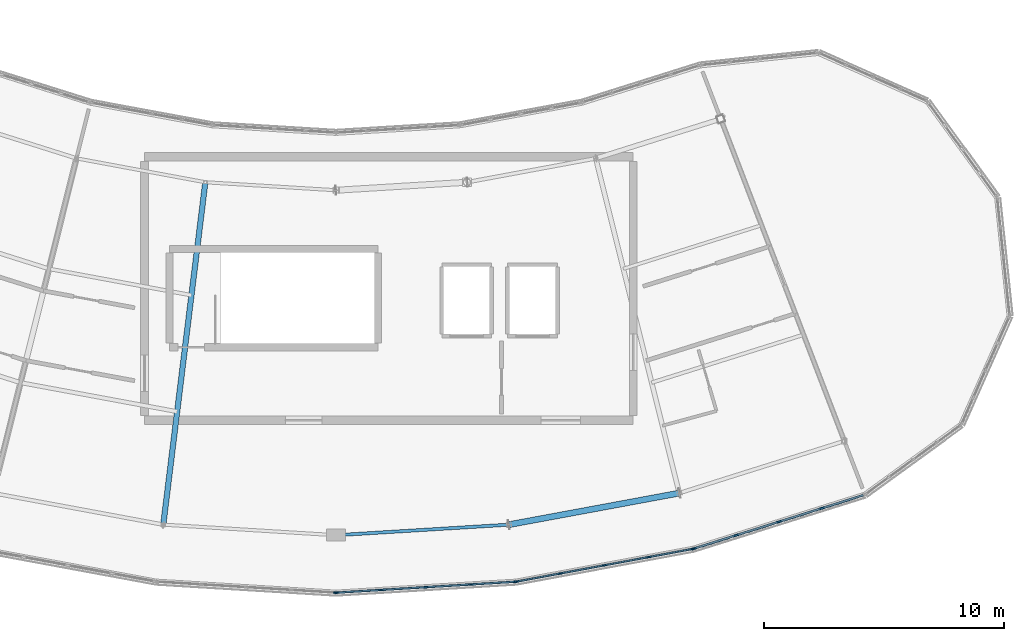
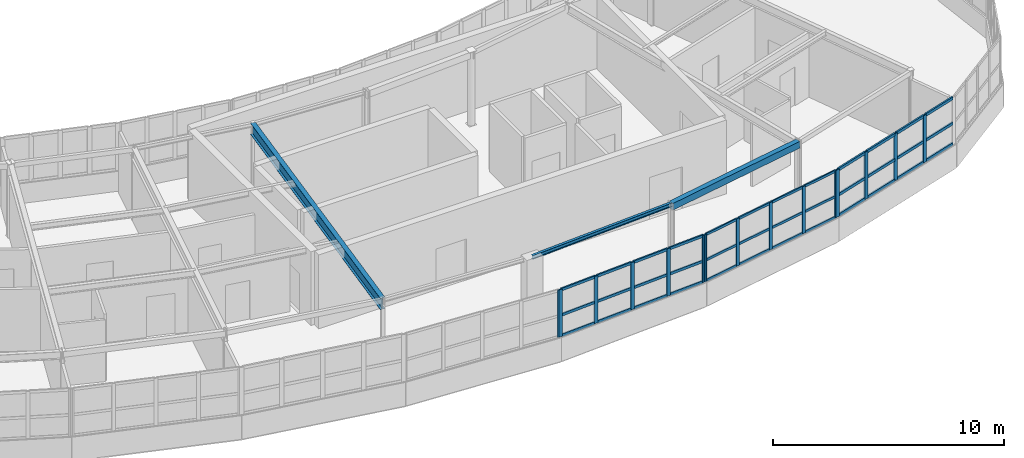
# One storey, part 19 of 60: 51 members, 3 beams, 4 elements without a shape of their own.
"""IFC4 building model written with IfcOpenShell, lengths in metres."""

from ifc_helpers import new_model, si_unit, direction, frame, origin, origin_2d, place, context, subcontext, project, spatial, rectangle, hollow_rectangle, i_section, extrude, material, layer, layer_set, material_profile, profile_set, type_object, element, aggregate, save


model = new_model("IFC4")

# Units and contexts
model_context = context("Model", 3, precision=1e-05, world=origin(), true_north=direction((0.0, 1.0)))
body_context = subcontext(model_context, "Body", "Model", "MODEL_VIEW")
ifc_project = project(units=[si_unit("LENGTHUNIT", "METRE"), si_unit("AREAUNIT", "SQUARE_METRE"), si_unit("VOLUMEUNIT", "CUBIC_METRE"), si_unit("PLANEANGLEUNIT", "RADIAN"), si_unit("MASSUNIT", "GRAM", prefix="KILO")], contexts=[model_context])

# Site, building, storey
site_placement = place(None, origin())
site = spatial("IfcSite", under=ifc_project, at=site_placement, CompositionType="ELEMENT")
building_placement = place(site_placement, origin())
building = spatial("IfcBuilding", under=site, at=building_placement, Name="Tarnwether General Hospital", CompositionType="ELEMENT")
storey_placement = place(building_placement, frame((0.0, 0.0, 26.10009765625)))
storey = spatial("IfcBuildingStorey", under=building, at=storey_placement, Name="L06", CompositionType="ELEMENT", Elevation=26.10009765625)

# Beams
ifc_material_1 = material(Name="Steel Grade 350 (350 MPa)", Category="steel")
ifc_material_profile_1 = material_profile(ifc_material_1, i_section(OverallWidth=0.22802734375, OverallDepth=0.60205078125, WebThickness=0.010498046875, FlangeThickness=0.014892578125, at=origin_2d()), Name="610UB101")
ifc_profile_set_1 = profile_set([ifc_material_profile_1], Name="Steel Grade 350 (350 MPa)")
beam_type_1 = type_object("IfcBeamType", Name="BM-G05", PredefinedType="BEAM", material=ifc_profile_set_1)
beam_1_placement = place(storey_placement, frame((84.784912109375, 4.240966796875, 3.598876953125), z_axis=(0.121881045946, 0.99254471468, 0.0), x_axis=(-0.99254471468, 0.121881045946, 0.0)))
element("IfcBeam", 1, at=beam_1_placement, inside=storey, type_object=beam_type_1, Name="Curved Ward SE Radial Girder BMG-L06-8478_424-8654_1853-2195", PredefinedType="BEAM", context=body_context, shape_type="SweptSolid", body=[
    extrude(i_section(OverallWidth=0.22802734375, OverallDepth=0.60205078125, WebThickness=0.010498046875, FlangeThickness=0.014892578125, at=origin_2d()), origin(), (0.0, 0.0, 1.0), 14.400390625),
])
ifc_material_2 = material(Name="Steel Grade 350 (350 MPa)", Category="steel")
ifc_material_profile_2 = material_profile(ifc_material_2, i_section(OverallWidth=0.133056640625, OverallDepth=0.201904296875, WebThickness=0.0048828125, FlangeThickness=0.007080078125, at=origin_2d()), Name="200UB22.3")
ifc_profile_set_2 = profile_set([ifc_material_profile_2], Name="Steel Grade 350 (350 MPa)")
beam_type_2 = type_object("IfcBeamType", Name="BM-SP6", PredefinedType="SPANDREL", material=ifc_profile_set_2)
beam_2_placement = place(storey_placement, frame((92.0, 3.800048828125, 3.798828125), z_axis=(0.998137964221, 0.060996757127, 0.0), x_axis=(-0.060996757127, 0.998137964221, 0.0)))
element("IfcBeam", 2, at=beam_2_placement, inside=storey, type_object=beam_type_2, Name="Curved Ward SE Outer Spandrel BMG-L06-9200_380-9922_424-2212", PredefinedType="SPANDREL", context=body_context, shape_type="SweptSolid", body=[
    extrude(i_section(OverallWidth=0.133056640625, OverallDepth=0.201904296875, WebThickness=0.0048828125, FlangeThickness=0.007080078125, at=origin_2d()), origin(), (0.0, 0.0, 1.0), 7.228515625),
])
ifc_material_3 = material(Name="Steel Grade C350L0 (350 MPa)", Category="steel")
ifc_material_profile_3 = material_profile(ifc_material_3, hollow_rectangle(XDim=0.25, YDim=0.35009765625, WallThickness=0.012451171875, at=origin_2d()), Name="RHS350x250x12.5")
ifc_profile_set_3 = profile_set([ifc_material_profile_3], Name="Steel Grade C350L0 (350 MPa)")
beam_type_3 = type_object("IfcBeamType", Name="BM-SP7", PredefinedType="SPANDREL", material=ifc_profile_set_3)
beam_3_placement = place(storey_placement, frame((99.215087890625, 4.240966796875, 3.724853515625), z_axis=(0.98325623662, 0.182228354399, 0.0), x_axis=(-0.182228354399, 0.98325623662, 0.0)))
element("IfcBeam", 3, at=beam_3_placement, inside=storey, type_object=beam_type_3, Name="Curved Ward SE Outer Spandrel BMG-L06-9922_424-10632_556-2214", PredefinedType="SPANDREL", context=body_context, shape_type="SweptSolid", body=[
    extrude(hollow_rectangle(XDim=0.25, YDim=0.35009765625, WallThickness=0.012451171875, at=origin_2d()), origin(), (0.0, 0.0, 1.0), 7.22802734375),
])

# Curtain wall, member
ifc_material_4 = material(Name="Anodised aluminium", Category="aluminium")
ifc_layer = layer(ifc_material_4, 0.179931640625)
ifc_layer_set = layer_set([ifc_layer], Name="Anodised aluminium")
curtain_wall_type = type_object("IfcCurtainWallType", Name="CW-11", PredefinedType="NOTDEFINED", material=ifc_layer_set)
curtain_wall_1_placement = place(storey_placement, origin())
curtain_wall_1 = element("IfcCurtainWall", 4, at=curtain_wall_1_placement, inside=storey, type_object=curtain_wall_type, Name="Curtain Wall CWG-L06-920_14-0249", PredefinedType="NOTDEFINED")
ifc_material_5 = material(Name="Anodised aluminium", Category="aluminium")
ifc_material_profile_4 = material_profile(ifc_material_5, rectangle(XDim=0.06005859375, YDim=0.159912109375, at=origin_2d()), Name="ALU-MUL-60x160")
ifc_profile_set_4 = profile_set([ifc_material_profile_4], Name="Anodised aluminium")
member_type_1 = type_object("IfcMemberType", Name="CW-ML1", PredefinedType="MULLION", material=ifc_profile_set_4)
member_1_placement = place(storey_placement, frame((91.969970703125, 1.40185546875, 1.0498046875), z_axis=(0.0, 0.0, 1.0), x_axis=(-0.061028962567, -0.998135995608, 0.0)))
member_1 = element("IfcMember", 5, at=member_1_placement, type_object=member_type_1, Name="CW-11 mullion 1", PredefinedType="MULLION", context=body_context, shape_type="SweptSolid", body=[
    extrude(rectangle(XDim=0.06005859375, YDim=0.159912109375, at=origin_2d()), origin(), (0.0, 0.0, 1.0), 2.4951171875),
])
aggregate(curtain_wall_1, [member_1])

# Curtain wall, members
curtain_wall_2_placement = place(storey_placement, origin())
curtain_wall_2 = element("IfcCurtainWall", 6, at=curtain_wall_2_placement, inside=storey, type_object=curtain_wall_type, Name="Curtain Wall CWG-L06-995_19-0250", PredefinedType="NOTDEFINED")
ifc_material_6 = material(Name="Anodised aluminium", Category="aluminium")
ifc_material_profile_5 = material_profile(ifc_material_6, rectangle(XDim=0.070068359375, YDim=0.179931640625, at=origin_2d()), Name="ALU-MUL-70x180")
ifc_profile_set_5 = profile_set([ifc_material_profile_5], Name="Anodised aluminium")
member_type_2 = type_object("IfcMemberType", Name="CW-ML2", PredefinedType="MULLION", material=ifc_profile_set_5)
member_2_placement = place(storey_placement, frame((99.47216796875, 1.85693359375, 1.0498046875), z_axis=(0.0, 0.0, 1.0), x_axis=(0.061028962567, -0.998135995608, 0.0)))
member_2 = element("IfcMember", 7, at=member_2_placement, type_object=member_type_2, Name="CW-11 mullion 1", PredefinedType="MULLION", context=body_context, shape_type="SweptSolid", body=[
    extrude(rectangle(XDim=0.070068359375, YDim=0.179931640625, at=origin_2d()), origin(), (0.0, 0.0, 1.0), 2.4951171875),
])
member_3_placement = place(storey_placement, frame((97.63037109375, 1.744140625, 1.0498046875), z_axis=(0.0, 0.0, 1.0), x_axis=(0.061028962567, -0.998135995608, 0.0)))
member_3 = element("IfcMember", 8, at=member_3_placement, type_object=member_type_2, Name="CW-11 mullion 2", PredefinedType="MULLION", context=body_context, shape_type="SweptSolid", body=[
    extrude(rectangle(XDim=0.070068359375, YDim=0.179931640625, at=origin_2d()), origin(), (0.0, 0.0, 1.0), 2.4951171875),
])
member_4_placement = place(storey_placement, frame((95.75341796875, 1.62939453125, 1.0498046875), z_axis=(0.0, 0.0, 1.0), x_axis=(0.061028962567, -0.998135995608, 0.0)))
member_4 = element("IfcMember", 9, at=member_4_placement, type_object=member_type_2, Name="CW-11 mullion 3", PredefinedType="MULLION", context=body_context, shape_type="SweptSolid", body=[
    extrude(rectangle(XDim=0.070068359375, YDim=0.179931640625, at=origin_2d()), origin(), (0.0, 0.0, 1.0), 2.4951171875),
])
member_5_placement = place(storey_placement, frame((93.876708984375, 1.5146484375, 1.0498046875), z_axis=(0.0, 0.0, 1.0), x_axis=(0.061028962567, -0.998135995608, 0.0)))
member_5 = element("IfcMember", 10, at=member_5_placement, type_object=member_type_2, Name="CW-11 mullion 4", PredefinedType="MULLION", context=body_context, shape_type="SweptSolid", body=[
    extrude(rectangle(XDim=0.070068359375, YDim=0.179931640625, at=origin_2d()), origin(), (0.0, 0.0, 1.0), 2.4951171875),
])
member_6_placement = place(storey_placement, frame((92.034912109375, 1.402099609375, 1.0498046875), z_axis=(0.0, 0.0, 1.0), x_axis=(0.061028962567, -0.998135995608, 0.0)))
member_6 = element("IfcMember", 11, at=member_6_placement, type_object=member_type_2, Name="CW-11 mullion 5", PredefinedType="MULLION", context=body_context, shape_type="SweptSolid", body=[
    extrude(rectangle(XDim=0.070068359375, YDim=0.179931640625, at=origin_2d()), origin(), (0.0, 0.0, 1.0), 2.4951171875),
])

curtain_wall_3_placement = place(storey_placement, origin())
curtain_wall_3 = element("IfcCurtainWall", 12, at=curtain_wall_3_placement, inside=storey, type_object=curtain_wall_type, Name="Curtain Wall CWG-L06-1069_32-0251", PredefinedType="NOTDEFINED")
ifc_material_7 = material(Name="Anodised aluminium", Category="aluminium")
ifc_material_profile_6 = material_profile(ifc_material_7, rectangle(XDim=0.06494140625, YDim=0.169921875, at=origin_2d()), Name="ALU-MUL-65x170")
ifc_profile_set_6 = profile_set([ifc_material_profile_6], Name="Anodised aluminium")
member_type_3 = type_object("IfcMemberType", Name="CW-ML3", PredefinedType="MULLION", material=ifc_profile_set_6)
member_7_placement = place(storey_placement, frame((106.8701171875, 3.22412109375, 1.0498046875), z_axis=(0.0, 0.0, 1.0), x_axis=(0.182289226614, -0.983244953132, 0.0)))
member_7 = element("IfcMember", 13, at=member_7_placement, type_object=member_type_3, Name="CW-11 mullion 1", PredefinedType="MULLION", context=body_context, shape_type="SweptSolid", body=[
    extrude(rectangle(XDim=0.06494140625, YDim=0.169921875, at=origin_2d()), origin(), (0.0, 0.0, 1.0), 2.4951171875),
])
member_8_placement = place(storey_placement, frame((105.05322265625, 2.88720703125, 1.0498046875), z_axis=(0.0, 0.0, 1.0), x_axis=(0.182289226614, -0.983244953132, 0.0)))
member_8 = element("IfcMember", 14, at=member_8_placement, type_object=member_type_3, Name="CW-11 mullion 2", PredefinedType="MULLION", context=body_context, shape_type="SweptSolid", body=[
    extrude(rectangle(XDim=0.06494140625, YDim=0.169921875, at=origin_2d()), origin(), (0.0, 0.0, 1.0), 2.4951171875),
])
member_9_placement = place(storey_placement, frame((103.20458984375, 2.54443359375, 1.0498046875), z_axis=(0.0, 0.0, 1.0), x_axis=(0.182289226614, -0.983244953132, 0.0)))
member_9 = element("IfcMember", 15, at=member_9_placement, type_object=member_type_3, Name="CW-11 mullion 3", PredefinedType="MULLION", context=body_context, shape_type="SweptSolid", body=[
    extrude(rectangle(XDim=0.06494140625, YDim=0.169921875, at=origin_2d()), origin(), (0.0, 0.0, 1.0), 2.4951171875),
])
member_10_placement = place(storey_placement, frame((101.355712890625, 2.20166015625, 1.0498046875), z_axis=(0.0, 0.0, 1.0), x_axis=(0.182289226614, -0.983244953132, 0.0)))
member_10 = element("IfcMember", 16, at=member_10_placement, type_object=member_type_3, Name="CW-11 mullion 4", PredefinedType="MULLION", context=body_context, shape_type="SweptSolid", body=[
    extrude(rectangle(XDim=0.06494140625, YDim=0.169921875, at=origin_2d()), origin(), (0.0, 0.0, 1.0), 2.4951171875),
])
member_11_placement = place(storey_placement, frame((99.5390625, 1.864990234375, 1.0498046875), z_axis=(0.0, 0.0, 1.0), x_axis=(0.182289226614, -0.983244953132, 0.0)))
member_11 = element("IfcMember", 17, at=member_11_placement, type_object=member_type_3, Name="CW-11 mullion 5", PredefinedType="MULLION", context=body_context, shape_type="SweptSolid", body=[
    extrude(rectangle(XDim=0.06494140625, YDim=0.169921875, at=origin_2d()), origin(), (0.0, 0.0, 1.0), 2.4951171875),
])

curtain_wall_4_placement = place(storey_placement, origin())
curtain_wall_4 = element("IfcCurtainWall", 18, at=curtain_wall_4_placement, inside=storey, type_object=curtain_wall_type, Name="Curtain Wall CWG-L06-1141_55-0252", PredefinedType="NOTDEFINED")
ifc_material_8 = material(Name="Anodised aluminium", Category="aluminium")
ifc_material_profile_7 = material_profile(ifc_material_8, rectangle(XDim=0.080078125, YDim=0.199951171875, at=origin_2d()), Name="ALU-MUL-80x200")
ifc_profile_set_7 = profile_set([ifc_material_profile_7], Name="Anodised aluminium")
member_type_4 = type_object("IfcMemberType", Name="CW-ML4", PredefinedType="MULLION", material=ifc_profile_set_7)
member_12_placement = place(storey_placement, frame((112.28173828125, 4.92578125, 1.0498046875), z_axis=(0.0, 0.0, 1.0), x_axis=(0.300628613299, -0.953741284032, 0.0)))
member_12 = element("IfcMember", 19, at=member_12_placement, type_object=member_type_4, Name="CW-11 mullion 2", PredefinedType="MULLION", context=body_context, shape_type="SweptSolid", body=[
    extrude(rectangle(XDim=0.080078125, YDim=0.199951171875, at=origin_2d()), origin(), (0.0, 0.0, 1.0), 2.4951171875),
])
member_13_placement = place(storey_placement, frame((110.488525390625, 4.360595703125, 1.0498046875), z_axis=(0.0, 0.0, 1.0), x_axis=(0.300628613299, -0.953741284032, 0.0)))
member_13 = element("IfcMember", 20, at=member_13_placement, type_object=member_type_4, Name="CW-11 mullion 3", PredefinedType="MULLION", context=body_context, shape_type="SweptSolid", body=[
    extrude(rectangle(XDim=0.080078125, YDim=0.199951171875, at=origin_2d()), origin(), (0.0, 0.0, 1.0), 2.4951171875),
])
member_14_placement = place(storey_placement, frame((108.6953125, 3.795166015625, 1.0498046875), z_axis=(0.0, 0.0, 1.0), x_axis=(0.300628613299, -0.953741284032, 0.0)))
member_14 = element("IfcMember", 21, at=member_14_placement, type_object=member_type_4, Name="CW-11 mullion 4", PredefinedType="MULLION", context=body_context, shape_type="SweptSolid", body=[
    extrude(rectangle(XDim=0.080078125, YDim=0.199951171875, at=origin_2d()), origin(), (0.0, 0.0, 1.0), 2.4951171875),
])
member_15_placement = place(storey_placement, frame((106.940185546875, 3.241943359375, 1.0498046875), z_axis=(0.0, 0.0, 1.0), x_axis=(0.300628613299, -0.953741284032, 0.0)))
member_15 = element("IfcMember", 22, at=member_15_placement, type_object=member_type_4, Name="CW-11 mullion 5", PredefinedType="MULLION", context=body_context, shape_type="SweptSolid", body=[
    extrude(rectangle(XDim=0.080078125, YDim=0.199951171875, at=origin_2d()), origin(), (0.0, 0.0, 1.0), 2.4951171875),
])

# Member
ifc_material_9 = material(Name="Anodised aluminium", Category="aluminium")
ifc_material_profile_8 = material_profile(ifc_material_9, rectangle(XDim=0.070068359375, YDim=0.139892578125, at=origin_2d()), Name="ALU-TRN-70x140")
ifc_profile_set_8 = profile_set([ifc_material_profile_8], Name="Anodised aluminium")
member_type_5 = type_object("IfcMemberType", Name="CW-TR2", PredefinedType="USERDEFINED", material=ifc_profile_set_8)
member_16_placement = place(storey_placement, frame((99.43701171875, 1.854736328125, 1.0849609375), z_axis=(-0.998133600873, -0.061068116134, 0.0), x_axis=(0.061068116134, -0.998133600873, 0.0)))
member_16 = element("IfcMember", 23, at=member_16_placement, type_object=member_type_5, Name="CW-11 transom 1.1", ObjectType="TRANSOM", PredefinedType="USERDEFINED", context=body_context, shape_type="SweptSolid", body=[
    extrude(rectangle(XDim=0.070068359375, YDim=0.139892578125, at=origin_2d()), origin(), (0.0, 0.0, 1.0), 1.775146484375),
])

member_17_placement = place(storey_placement, frame((99.43701171875, 1.854736328125, 2.172607421875), z_axis=(-0.998133600873, -0.061068116134, 0.0), x_axis=(0.061068116134, -0.998133600873, 0.0)))
member_17 = element("IfcMember", 24, at=member_17_placement, type_object=member_type_5, Name="CW-11 transom 1.2", ObjectType="TRANSOM", PredefinedType="USERDEFINED", context=body_context, shape_type="SweptSolid", body=[
    extrude(rectangle(XDim=0.070068359375, YDim=0.139892578125, at=origin_2d()), origin(), (0.0, 0.0, 1.0), 1.775146484375),
])

member_18_placement = place(storey_placement, frame((99.43701171875, 1.854736328125, 3.510009765625), z_axis=(-0.998133600873, -0.061068116134, 0.0), x_axis=(0.061068116134, -0.998133600873, 0.0)))
member_18 = element("IfcMember", 25, at=member_18_placement, type_object=member_type_5, Name="CW-11 transom 1.3", ObjectType="TRANSOM", PredefinedType="USERDEFINED", context=body_context, shape_type="SweptSolid", body=[
    extrude(rectangle(XDim=0.070068359375, YDim=0.139892578125, at=origin_2d()), origin(), (0.0, 0.0, 1.0), 1.775146484375),
])

member_19_placement = place(storey_placement, frame((97.59521484375, 1.7421875, 1.0849609375), z_axis=(-0.998132040716, -0.061093610923, 0.0), x_axis=(0.061093610923, -0.998132040716, 0.0)))
member_19 = element("IfcMember", 26, at=member_19_placement, type_object=member_type_5, Name="CW-11 transom 2.1", ObjectType="TRANSOM", PredefinedType="USERDEFINED", context=body_context, shape_type="SweptSolid", body=[
    extrude(rectangle(XDim=0.070068359375, YDim=0.139892578125, at=origin_2d()), origin(), (0.0, 0.0, 1.0), 1.810302734375),
])

member_20_placement = place(storey_placement, frame((97.59521484375, 1.7421875, 2.172607421875), z_axis=(-0.998132040716, -0.061093610923, 0.0), x_axis=(0.061093610923, -0.998132040716, 0.0)))
member_20 = element("IfcMember", 27, at=member_20_placement, type_object=member_type_5, Name="CW-11 transom 2.2", ObjectType="TRANSOM", PredefinedType="USERDEFINED", context=body_context, shape_type="SweptSolid", body=[
    extrude(rectangle(XDim=0.070068359375, YDim=0.139892578125, at=origin_2d()), origin(), (0.0, 0.0, 1.0), 1.810302734375),
])

member_21_placement = place(storey_placement, frame((97.59521484375, 1.7421875, 3.510009765625), z_axis=(-0.998132040716, -0.061093610923, 0.0), x_axis=(0.061093610923, -0.998132040716, 0.0)))
member_21 = element("IfcMember", 28, at=member_21_placement, type_object=member_type_5, Name="CW-11 transom 2.3", ObjectType="TRANSOM", PredefinedType="USERDEFINED", context=body_context, shape_type="SweptSolid", body=[
    extrude(rectangle(XDim=0.070068359375, YDim=0.139892578125, at=origin_2d()), origin(), (0.0, 0.0, 1.0), 1.810302734375),
])

member_22_placement = place(storey_placement, frame((95.718505859375, 1.62744140625, 1.0849609375), z_axis=(-0.998132040716, -0.061093610923, 0.0), x_axis=(0.061093610923, -0.998132040716, 0.0)))
member_22 = element("IfcMember", 29, at=member_22_placement, type_object=member_type_5, Name="CW-11 transom 3.1", ObjectType="TRANSOM", PredefinedType="USERDEFINED", context=body_context, shape_type="SweptSolid", body=[
    extrude(rectangle(XDim=0.070068359375, YDim=0.139892578125, at=origin_2d()), origin(), (0.0, 0.0, 1.0), 1.810302734375),
])

member_23_placement = place(storey_placement, frame((95.718505859375, 1.62744140625, 2.172607421875), z_axis=(-0.998132040716, -0.061093610923, 0.0), x_axis=(0.061093610923, -0.998132040716, 0.0)))
member_23 = element("IfcMember", 30, at=member_23_placement, type_object=member_type_5, Name="CW-11 transom 3.2", ObjectType="TRANSOM", PredefinedType="USERDEFINED", context=body_context, shape_type="SweptSolid", body=[
    extrude(rectangle(XDim=0.070068359375, YDim=0.139892578125, at=origin_2d()), origin(), (0.0, 0.0, 1.0), 1.810302734375),
])

member_24_placement = place(storey_placement, frame((95.718505859375, 1.62744140625, 3.510009765625), z_axis=(-0.998132040716, -0.061093610923, 0.0), x_axis=(0.061093610923, -0.998132040716, 0.0)))
member_24 = element("IfcMember", 31, at=member_24_placement, type_object=member_type_5, Name="CW-11 transom 3.3", ObjectType="TRANSOM", PredefinedType="USERDEFINED", context=body_context, shape_type="SweptSolid", body=[
    extrude(rectangle(XDim=0.070068359375, YDim=0.139892578125, at=origin_2d()), origin(), (0.0, 0.0, 1.0), 1.810302734375),
])

member_25_placement = place(storey_placement, frame((93.841796875, 1.5126953125, 1.0849609375), z_axis=(-0.9981341137, -0.061059733602, 0.0), x_axis=(0.061059733602, -0.9981341137, 0.0)))
member_25 = element("IfcMember", 32, at=member_25_placement, type_object=member_type_5, Name="CW-11 transom 4.1", ObjectType="TRANSOM", PredefinedType="USERDEFINED", context=body_context, shape_type="SweptSolid", body=[
    extrude(rectangle(XDim=0.070068359375, YDim=0.139892578125, at=origin_2d()), origin(), (0.0, 0.0, 1.0), 1.775390625),
])

member_26_placement = place(storey_placement, frame((93.841796875, 1.5126953125, 2.172607421875), z_axis=(-0.9981341137, -0.061059733602, 0.0), x_axis=(0.061059733602, -0.9981341137, 0.0)))
member_26 = element("IfcMember", 33, at=member_26_placement, type_object=member_type_5, Name="CW-11 transom 4.2", ObjectType="TRANSOM", PredefinedType="USERDEFINED", context=body_context, shape_type="SweptSolid", body=[
    extrude(rectangle(XDim=0.070068359375, YDim=0.139892578125, at=origin_2d()), origin(), (0.0, 0.0, 1.0), 1.775390625),
])

member_27_placement = place(storey_placement, frame((93.841796875, 1.5126953125, 3.510009765625), z_axis=(-0.9981341137, -0.061059733602, 0.0), x_axis=(0.061059733602, -0.9981341137, 0.0)))
member_27 = element("IfcMember", 34, at=member_27_placement, type_object=member_type_5, Name="CW-11 transom 4.3", ObjectType="TRANSOM", PredefinedType="USERDEFINED", context=body_context, shape_type="SweptSolid", body=[
    extrude(rectangle(XDim=0.070068359375, YDim=0.139892578125, at=origin_2d()), origin(), (0.0, 0.0, 1.0), 1.775390625),
])

aggregate(curtain_wall_2, [member_2, member_3, member_4, member_5, member_6, member_16, member_17, member_18, member_19, member_20, member_21, member_22, member_23, member_24, member_25, member_26, member_27])

ifc_material_10 = material(Name="Anodised aluminium", Category="aluminium")
ifc_material_profile_9 = material_profile(ifc_material_10, rectangle(XDim=0.06494140625, YDim=0.1298828125, at=origin_2d()), Name="ALU-TRN-65x130")
ifc_profile_set_9 = profile_set([ifc_material_profile_9], Name="Anodised aluminium")
member_type_6 = type_object("IfcMemberType", Name="CW-TR3", PredefinedType="USERDEFINED", material=ifc_profile_set_9)
member_28_placement = place(storey_placement, frame((106.838134765625, 3.21826171875, 1.08251953125), z_axis=(-0.983223837446, -0.182403085164, 0.0), x_axis=(0.182403085164, -0.983223837446, 0.0)))
member_28 = element("IfcMember", 35, at=member_28_placement, type_object=member_type_6, Name="CW-11 transom 1.1", ObjectType="TRANSOM", PredefinedType="USERDEFINED", context=body_context, shape_type="SweptSolid", body=[
    extrude(rectangle(XDim=0.06494140625, YDim=0.1298828125, at=origin_2d()), origin(), (0.0, 0.0, 1.0), 1.782958984375),
])

member_29_placement = place(storey_placement, frame((106.838134765625, 3.21826171875, 2.172607421875), z_axis=(-0.983223837446, -0.182403085164, 0.0), x_axis=(0.182403085164, -0.983223837446, 0.0)))
member_29 = element("IfcMember", 36, at=member_29_placement, type_object=member_type_6, Name="CW-11 transom 1.2", ObjectType="TRANSOM", PredefinedType="USERDEFINED", context=body_context, shape_type="SweptSolid", body=[
    extrude(rectangle(XDim=0.06494140625, YDim=0.1298828125, at=origin_2d()), origin(), (0.0, 0.0, 1.0), 1.782958984375),
])

member_30_placement = place(storey_placement, frame((106.838134765625, 3.21826171875, 3.512451171875), z_axis=(-0.983223837446, -0.182403085164, 0.0), x_axis=(0.182403085164, -0.983223837446, 0.0)))
member_30 = element("IfcMember", 37, at=member_30_placement, type_object=member_type_6, Name="CW-11 transom 1.3", ObjectType="TRANSOM", PredefinedType="USERDEFINED", context=body_context, shape_type="SweptSolid", body=[
    extrude(rectangle(XDim=0.06494140625, YDim=0.1298828125, at=origin_2d()), origin(), (0.0, 0.0, 1.0), 1.782958984375),
])

member_31_placement = place(storey_placement, frame((105.021240234375, 2.88134765625, 1.08251953125), z_axis=(-0.983250771919, -0.182257838023, 0.0), x_axis=(0.182257838023, -0.983250771919, 0.0)))
member_31 = element("IfcMember", 38, at=member_31_placement, type_object=member_type_6, Name="CW-11 transom 2.1", ObjectType="TRANSOM", PredefinedType="USERDEFINED", context=body_context, shape_type="SweptSolid", body=[
    extrude(rectangle(XDim=0.06494140625, YDim=0.1298828125, at=origin_2d()), origin(), (0.0, 0.0, 1.0), 1.815185546875),
])

member_32_placement = place(storey_placement, frame((105.021240234375, 2.88134765625, 2.172607421875), z_axis=(-0.983250771919, -0.182257838023, 0.0), x_axis=(0.182257838023, -0.983250771919, 0.0)))
member_32 = element("IfcMember", 39, at=member_32_placement, type_object=member_type_6, Name="CW-11 transom 2.2", ObjectType="TRANSOM", PredefinedType="USERDEFINED", context=body_context, shape_type="SweptSolid", body=[
    extrude(rectangle(XDim=0.06494140625, YDim=0.1298828125, at=origin_2d()), origin(), (0.0, 0.0, 1.0), 1.815185546875),
])

member_33_placement = place(storey_placement, frame((105.021240234375, 2.88134765625, 3.512451171875), z_axis=(-0.983250771919, -0.182257838023, 0.0), x_axis=(0.182257838023, -0.983250771919, 0.0)))
member_33 = element("IfcMember", 40, at=member_33_placement, type_object=member_type_6, Name="CW-11 transom 2.3", ObjectType="TRANSOM", PredefinedType="USERDEFINED", context=body_context, shape_type="SweptSolid", body=[
    extrude(rectangle(XDim=0.06494140625, YDim=0.1298828125, at=origin_2d()), origin(), (0.0, 0.0, 1.0), 1.815185546875),
])

member_34_placement = place(storey_placement, frame((103.172607421875, 2.53857421875, 1.08251953125), z_axis=(-0.983255239096, -0.182233736695, 0.0), x_axis=(0.182233736695, -0.983255239096, 0.0)))
member_34 = element("IfcMember", 41, at=member_34_placement, type_object=member_type_6, Name="CW-11 transom 3.1", ObjectType="TRANSOM", PredefinedType="USERDEFINED", context=body_context, shape_type="SweptSolid", body=[
    extrude(rectangle(XDim=0.06494140625, YDim=0.1298828125, at=origin_2d()), origin(), (0.0, 0.0, 1.0), 1.8154296875),
])

member_35_placement = place(storey_placement, frame((103.172607421875, 2.53857421875, 2.172607421875), z_axis=(-0.983255239096, -0.182233736695, 0.0), x_axis=(0.182233736695, -0.983255239096, 0.0)))
member_35 = element("IfcMember", 42, at=member_35_placement, type_object=member_type_6, Name="CW-11 transom 3.2", ObjectType="TRANSOM", PredefinedType="USERDEFINED", context=body_context, shape_type="SweptSolid", body=[
    extrude(rectangle(XDim=0.06494140625, YDim=0.1298828125, at=origin_2d()), origin(), (0.0, 0.0, 1.0), 1.8154296875),
])

member_36_placement = place(storey_placement, frame((103.172607421875, 2.53857421875, 3.512451171875), z_axis=(-0.983255239096, -0.182233736695, 0.0), x_axis=(0.182233736695, -0.983255239096, 0.0)))
member_36 = element("IfcMember", 43, at=member_36_placement, type_object=member_type_6, Name="CW-11 transom 3.3", ObjectType="TRANSOM", PredefinedType="USERDEFINED", context=body_context, shape_type="SweptSolid", body=[
    extrude(rectangle(XDim=0.06494140625, YDim=0.1298828125, at=origin_2d()), origin(), (0.0, 0.0, 1.0), 1.8154296875),
])

member_37_placement = place(storey_placement, frame((101.32373046875, 2.19580078125, 1.08251953125), z_axis=(-0.983248388252, -0.182270697042, 0.0), x_axis=(0.182270697042, -0.983248388252, 0.0)))
member_37 = element("IfcMember", 44, at=member_37_placement, type_object=member_type_6, Name="CW-11 transom 4.1", ObjectType="TRANSOM", PredefinedType="USERDEFINED", context=body_context, shape_type="SweptSolid", body=[
    extrude(rectangle(XDim=0.06494140625, YDim=0.1298828125, at=origin_2d()), origin(), (0.0, 0.0, 1.0), 1.78271484375),
])

member_38_placement = place(storey_placement, frame((101.32373046875, 2.19580078125, 2.172607421875), z_axis=(-0.983248388252, -0.182270697042, 0.0), x_axis=(0.182270697042, -0.983248388252, 0.0)))
member_38 = element("IfcMember", 45, at=member_38_placement, type_object=member_type_6, Name="CW-11 transom 4.2", ObjectType="TRANSOM", PredefinedType="USERDEFINED", context=body_context, shape_type="SweptSolid", body=[
    extrude(rectangle(XDim=0.06494140625, YDim=0.1298828125, at=origin_2d()), origin(), (0.0, 0.0, 1.0), 1.78271484375),
])

member_39_placement = place(storey_placement, frame((101.32373046875, 2.19580078125, 3.512451171875), z_axis=(-0.983248388252, -0.182270697042, 0.0), x_axis=(0.182270697042, -0.983248388252, 0.0)))
member_39 = element("IfcMember", 46, at=member_39_placement, type_object=member_type_6, Name="CW-11 transom 4.3", ObjectType="TRANSOM", PredefinedType="USERDEFINED", context=body_context, shape_type="SweptSolid", body=[
    extrude(rectangle(XDim=0.06494140625, YDim=0.1298828125, at=origin_2d()), origin(), (0.0, 0.0, 1.0), 1.78271484375),
])

aggregate(curtain_wall_3, [member_7, member_8, member_9, member_10, member_11, member_28, member_29, member_30, member_31, member_32, member_33, member_34, member_35, member_36, member_37, member_38, member_39])

ifc_material_11 = material(Name="Anodised aluminium", Category="aluminium")
ifc_material_profile_10 = material_profile(ifc_material_11, rectangle(XDim=0.080078125, YDim=0.14990234375, at=origin_2d()), Name="ALU-TRN-80x150")
ifc_profile_set_10 = profile_set([ifc_material_profile_10], Name="Anodised aluminium")
member_type_7 = type_object("IfcMemberType", Name="CW-TR4", PredefinedType="USERDEFINED", material=ifc_profile_set_10)
member_40_placement = place(storey_placement, frame((113.998779296875, 5.467041015625, 1.08984375), z_axis=(-0.953729270447, -0.300666723619, 0.0), x_axis=(0.300666723619, -0.953729270447, 0.0)))
member_40 = element("IfcMember", 47, at=member_40_placement, type_object=member_type_7, Name="CW-11 transom 1.1", ObjectType="TRANSOM", PredefinedType="USERDEFINED", context=body_context, shape_type="SweptSolid", body=[
    extrude(rectangle(XDim=0.080078125, YDim=0.14990234375, at=origin_2d()), origin(), (0.0, 0.0, 1.0), 1.760498046875),
])

member_41_placement = place(storey_placement, frame((113.998779296875, 5.467041015625, 2.172607421875), z_axis=(-0.953729270447, -0.300666723619, 0.0), x_axis=(0.300666723619, -0.953729270447, 0.0)))
member_41 = element("IfcMember", 48, at=member_41_placement, type_object=member_type_7, Name="CW-11 transom 1.2", ObjectType="TRANSOM", PredefinedType="USERDEFINED", context=body_context, shape_type="SweptSolid", body=[
    extrude(rectangle(XDim=0.080078125, YDim=0.14990234375, at=origin_2d()), origin(), (0.0, 0.0, 1.0), 1.760498046875),
])

member_42_placement = place(storey_placement, frame((113.998779296875, 5.467041015625, 3.5048828125), z_axis=(-0.953729270447, -0.300666723619, 0.0), x_axis=(0.300666723619, -0.953729270447, 0.0)))
member_42 = element("IfcMember", 49, at=member_42_placement, type_object=member_type_7, Name="CW-11 transom 1.3", ObjectType="TRANSOM", PredefinedType="USERDEFINED", context=body_context, shape_type="SweptSolid", body=[
    extrude(rectangle(XDim=0.080078125, YDim=0.14990234375, at=origin_2d()), origin(), (0.0, 0.0, 1.0), 1.760498046875),
])

member_43_placement = place(storey_placement, frame((112.24365234375, 4.913818359375, 1.08984375), z_axis=(-0.953736253577, -0.300644571901, 0.0), x_axis=(0.300644571901, -0.953736253577, 0.0)))
member_43 = element("IfcMember", 50, at=member_43_placement, type_object=member_type_7, Name="CW-11 transom 2.1", ObjectType="TRANSOM", PredefinedType="USERDEFINED", context=body_context, shape_type="SweptSolid", body=[
    extrude(rectangle(XDim=0.080078125, YDim=0.14990234375, at=origin_2d()), origin(), (0.0, 0.0, 1.0), 1.80029296875),
])

member_44_placement = place(storey_placement, frame((112.24365234375, 4.913818359375, 2.172607421875), z_axis=(-0.953736253577, -0.300644571901, 0.0), x_axis=(0.300644571901, -0.953736253577, 0.0)))
member_44 = element("IfcMember", 51, at=member_44_placement, type_object=member_type_7, Name="CW-11 transom 2.2", ObjectType="TRANSOM", PredefinedType="USERDEFINED", context=body_context, shape_type="SweptSolid", body=[
    extrude(rectangle(XDim=0.080078125, YDim=0.14990234375, at=origin_2d()), origin(), (0.0, 0.0, 1.0), 1.80029296875),
])

member_45_placement = place(storey_placement, frame((112.24365234375, 4.913818359375, 3.5048828125), z_axis=(-0.953736253577, -0.300644571901, 0.0), x_axis=(0.300644571901, -0.953736253577, 0.0)))
member_45 = element("IfcMember", 52, at=member_45_placement, type_object=member_type_7, Name="CW-11 transom 2.3", ObjectType="TRANSOM", PredefinedType="USERDEFINED", context=body_context, shape_type="SweptSolid", body=[
    extrude(rectangle(XDim=0.080078125, YDim=0.14990234375, at=origin_2d()), origin(), (0.0, 0.0, 1.0), 1.80029296875),
])

member_46_placement = place(storey_placement, frame((110.450439453125, 4.348388671875, 1.08984375), z_axis=(-0.953775131041, -0.300521212909, 0.0), x_axis=(0.300521212909, -0.953775131041, 0.0)))
member_46 = element("IfcMember", 53, at=member_46_placement, type_object=member_type_7, Name="CW-11 transom 3.1", ObjectType="TRANSOM", PredefinedType="USERDEFINED", context=body_context, shape_type="SweptSolid", body=[
    extrude(rectangle(XDim=0.080078125, YDim=0.14990234375, at=origin_2d()), origin(), (0.0, 0.0, 1.0), 1.80029296875),
])

member_47_placement = place(storey_placement, frame((110.450439453125, 4.348388671875, 2.172607421875), z_axis=(-0.953775131041, -0.300521212909, 0.0), x_axis=(0.300521212909, -0.953775131041, 0.0)))
member_47 = element("IfcMember", 54, at=member_47_placement, type_object=member_type_7, Name="CW-11 transom 3.2", ObjectType="TRANSOM", PredefinedType="USERDEFINED", context=body_context, shape_type="SweptSolid", body=[
    extrude(rectangle(XDim=0.080078125, YDim=0.14990234375, at=origin_2d()), origin(), (0.0, 0.0, 1.0), 1.80029296875),
])

member_48_placement = place(storey_placement, frame((110.450439453125, 4.348388671875, 3.5048828125), z_axis=(-0.953775131041, -0.300521212909, 0.0), x_axis=(0.300521212909, -0.953775131041, 0.0)))
member_48 = element("IfcMember", 55, at=member_48_placement, type_object=member_type_7, Name="CW-11 transom 3.3", ObjectType="TRANSOM", PredefinedType="USERDEFINED", context=body_context, shape_type="SweptSolid", body=[
    extrude(rectangle(XDim=0.080078125, YDim=0.14990234375, at=origin_2d()), origin(), (0.0, 0.0, 1.0), 1.80029296875),
])

member_49_placement = place(storey_placement, frame((108.656982421875, 3.783203125, 1.08984375), z_axis=(-0.953756502438, -0.300580328793, 0.0), x_axis=(0.300580328793, -0.953756502438, 0.0)))
member_49 = element("IfcMember", 56, at=member_49_placement, type_object=member_type_7, Name="CW-11 transom 4.1", ObjectType="TRANSOM", PredefinedType="USERDEFINED", context=body_context, shape_type="SweptSolid", body=[
    extrude(rectangle(XDim=0.080078125, YDim=0.14990234375, at=origin_2d()), origin(), (0.0, 0.0, 1.0), 1.760009765625),
])

member_50_placement = place(storey_placement, frame((108.656982421875, 3.783203125, 2.172607421875), z_axis=(-0.953756502438, -0.300580328793, 0.0), x_axis=(0.300580328793, -0.953756502438, 0.0)))
member_50 = element("IfcMember", 57, at=member_50_placement, type_object=member_type_7, Name="CW-11 transom 4.2", ObjectType="TRANSOM", PredefinedType="USERDEFINED", context=body_context, shape_type="SweptSolid", body=[
    extrude(rectangle(XDim=0.080078125, YDim=0.14990234375, at=origin_2d()), origin(), (0.0, 0.0, 1.0), 1.760009765625),
])

member_51_placement = place(storey_placement, frame((108.656982421875, 3.783203125, 3.5048828125), z_axis=(-0.953756502438, -0.300580328793, 0.0), x_axis=(0.300580328793, -0.953756502438, 0.0)))
member_51 = element("IfcMember", 58, at=member_51_placement, type_object=member_type_7, Name="CW-11 transom 4.3", ObjectType="TRANSOM", PredefinedType="USERDEFINED", context=body_context, shape_type="SweptSolid", body=[
    extrude(rectangle(XDim=0.080078125, YDim=0.14990234375, at=origin_2d()), origin(), (0.0, 0.0, 1.0), 1.760009765625),
])

aggregate(curtain_wall_4, [member_12, member_13, member_14, member_15, member_40, member_41, member_42, member_43, member_44, member_45, member_46, member_47, member_48, member_49, member_50, member_51])

save(model, "model.ifc")
